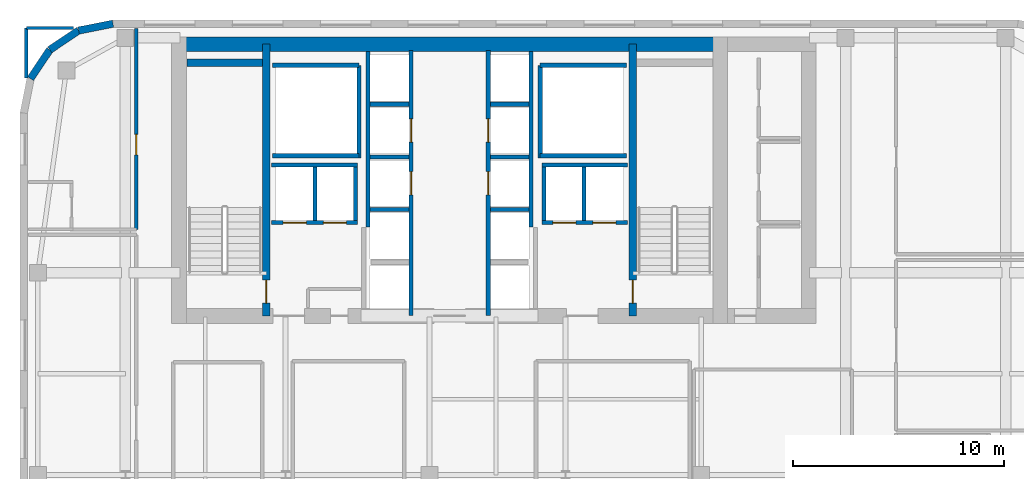
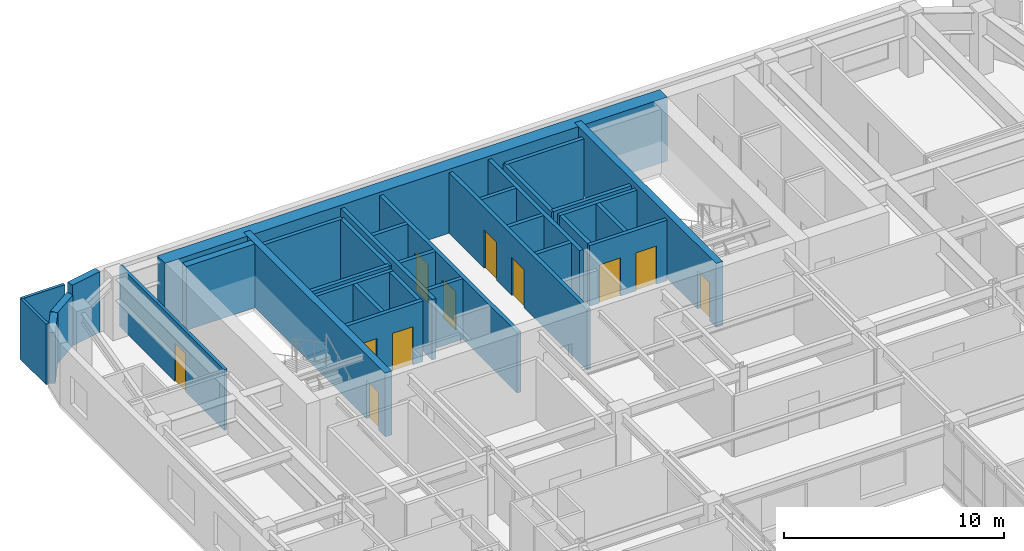
# One storey, part 11 of 14: 34 walls, 11 doors, 11 openings.
"""IFC4 building model written with IfcOpenShell, lengths in metres."""

import ifcopenshell
import ifcopenshell.guid

model = None  # the IFC model being written
_history = None  # IfcOwnerHistory: only IFC2X3 demands one
_inside = {}  # id of a spatial element -> (the spatial element, [elements in it])
_under = {}  # id of a project, library or spatial element -> (it, [spatial elements below it])
_declared = {}  # id of a project -> (the project, [libraries it declares])
_typed = {}  # id of a type object -> (the type object, [elements of that type])
_made_of = {}  # id of a material, layer set ... -> (it, [elements and type objects made of it])


def new_model(schema):
    """Start an empty IFC model of exactly this schema.

    Asked for "IFC4X3", IfcOpenShell would pick the latest addendum, in which some entities
    have other attributes; the version numbers below select the first issue.
    IFC2X3 requires an IfcOwnerHistory on every rooted entity: one is made here for all.
    """
    global model, _history
    if schema == "IFC4X3":
        model = ifcopenshell.file(schema_version=(4, 3, 0, 0))
    else:
        model = ifcopenshell.file(schema=schema)
    _inside.clear()
    _under.clear()
    _declared.clear()
    _typed.clear()
    _made_of.clear()
    _history = None
    if model.schema == "IFC2X3":
        org = make("IfcOrganization", Name="unknown")
        user = make(
            "IfcPersonAndOrganization",
            ThePerson=make("IfcPerson", FamilyName="unknown"),
            TheOrganization=org,
        )
        app = make(
            "IfcApplication",
            ApplicationDeveloper=org,
            Version="unknown",
            ApplicationFullName="unknown",
            ApplicationIdentifier="unknown",
        )
        _history = make(
            "IfcOwnerHistory",
            OwningUser=user,
            OwningApplication=app,
            ChangeAction="ADDED",
            CreationDate=0,
        )
    return model


def make(cls, **values):
    """One entity of the class cls with the attributes given. An attribute that is None is left unset."""
    return model.create_entity(
        cls, **{name: value for name, value in values.items() if value is not None}
    )


def rooted(cls, **values):
    """An entity with a GlobalId (a new one), such as an element, a storey or a relation."""
    return make(cls, GlobalId=ifcopenshell.guid.new(), OwnerHistory=_history, **values)


def si_unit(unit_type, name, prefix=None):
    """IfcSIUnit, for example si_unit("LENGTHUNIT", "METRE", prefix="MILLI")."""
    return make("IfcSIUnit", UnitType=unit_type, Prefix=prefix, Name=name)


def assignment(units):
    """IfcUnitAssignment: the units of a project."""
    return None if units is None else make("IfcUnitAssignment", Units=units)


def point(xyz):
    """IfcCartesianPoint."""
    return None if xyz is None else make("IfcCartesianPoint", Coordinates=xyz)


def direction(xyz):
    """IfcDirection."""
    return None if xyz is None else make("IfcDirection", DirectionRatios=xyz)


def frame(location, z_axis=None, x_axis=None):
    """IfcAxis2Placement3D, a coordinate frame: its origin and axes. An axis left out is left unset."""
    return make(
        "IfcAxis2Placement3D",
        Location=point(location),
        Axis=direction(z_axis),
        RefDirection=direction(x_axis),
    )


def frame_2d(location, x_axis=None):
    """IfcAxis2Placement2D, a coordinate frame in the plane: its origin and x axis."""
    return make(
        "IfcAxis2Placement2D", Location=point(location), RefDirection=direction(x_axis)
    )


def origin():
    """The frame at (0, 0, 0) with its axes left unset."""
    return frame((0.0, 0.0, 0.0))


def place(relative_to, where):
    """IfcLocalPlacement: puts the frame where relative to a parent placement (None: the world)."""
    return make(
        "IfcLocalPlacement", PlacementRelTo=relative_to, RelativePlacement=where
    )


def context(
    kind, dimensions, precision=None, world=None, true_north=None, identifier=None
):
    """IfcGeometricRepresentationContext, for example the 3D "Model" context."""
    return make(
        "IfcGeometricRepresentationContext",
        ContextIdentifier=identifier,
        ContextType=kind,
        CoordinateSpaceDimension=dimensions,
        Precision=precision,
        WorldCoordinateSystem=world,
        TrueNorth=true_north,
    )


def subcontext(parent, identifier, kind, view, scale=None):
    """IfcGeometricRepresentationSubContext, for example "Body" below "Model"."""
    return make(
        "IfcGeometricRepresentationSubContext",
        ContextIdentifier=identifier,
        ContextType=kind,
        ParentContext=parent,
        TargetScale=scale,
        TargetView=view,
    )


def project(units=None, contexts=None):
    """IfcProject with its units and contexts."""
    return rooted(
        "IfcProject",
        Name="project",
        RepresentationContexts=contexts,
        UnitsInContext=assignment(units),
    )


def spatial(cls, under=None, at=None, **own):
    """A site, building, storey or space (cls), placed at a placement, below another one or the project."""
    s = rooted(cls, ObjectPlacement=at, **own)
    if under is not None:
        _under.setdefault(under.id(), (under, []))[1].append(s)
    return s


def profile(cls, at=None, kind="AREA", **sizes):
    """A parametric profile (cls). Its sizes go by their IFC names, for example OverallWidth=200.0."""
    return make(cls, ProfileType=kind, Position=at, **sizes)


def rectangle(**sizes):
    """IfcRectangleProfileDef."""
    return profile("IfcRectangleProfileDef", **sizes)


def extrude(swept, where, along, depth):
    """IfcExtrudedAreaSolid: the profile swept, set in the frame where, extruded along a direction by depth."""
    return make(
        "IfcExtrudedAreaSolid",
        SweptArea=swept,
        Position=where,
        ExtrudedDirection=direction(along),
        Depth=depth,
    )


def shape(context_of_items, identifier, shape_type, items):
    """IfcShapeRepresentation: the items that make up one representation, for example the "Body"."""
    return make(
        "IfcShapeRepresentation",
        ContextOfItems=context_of_items,
        RepresentationIdentifier=identifier,
        RepresentationType=shape_type,
        Items=items,
    )


def source(mapping_origin, context_of_items, identifier, shape_type, items):
    """IfcRepresentationMap: a shape defined once, which mapped items show again and again."""
    return make(
        "IfcRepresentationMap",
        MappingOrigin=mapping_origin,
        MappedRepresentation=shape(context_of_items, identifier, shape_type, items),
    )


def transform(
    local_origin,
    x_axis=None,
    y_axis=None,
    z_axis=None,
    scale=None,
    scale2=None,
    scale3=None,
    uniform=True,
):
    """IfcCartesianTransformationOperator3D, or its non-uniform kind. x_axis, y_axis, z_axis: its Axis1, 2, 3."""
    if uniform:
        return make(
            "IfcCartesianTransformationOperator3D",
            Axis1=direction(x_axis),
            Axis2=direction(y_axis),
            LocalOrigin=point(local_origin),
            Scale=scale,
            Axis3=direction(z_axis),
        )
    return make(
        "IfcCartesianTransformationOperator3DnonUniform",
        Axis1=direction(x_axis),
        Axis2=direction(y_axis),
        LocalOrigin=point(local_origin),
        Scale=scale,
        Axis3=direction(z_axis),
        Scale2=scale2,
        Scale3=scale3,
    )


def mapped(mapping_source, mapping_target):
    """IfcMappedItem: shows the shape of a source again, moved by a transform."""
    return make(
        "IfcMappedItem", MappingSource=mapping_source, MappingTarget=mapping_target
    )


def material(Name=None, Category=None):
    """IfcMaterial."""
    return make("IfcMaterial", Name=Name, Category=Category)


def layer(
    of_material, thickness, ventilated=None, Name=None, Category=None, Priority=None
):
    """IfcMaterialLayer: one layer of a wall or slab, of a material (None: an air gap)."""
    return make(
        "IfcMaterialLayer",
        Material=of_material,
        LayerThickness=thickness,
        IsVentilated=ventilated,
        Name=Name,
        Category=Category,
        Priority=Priority,
    )


def layer_set(layers, Name=None):
    """IfcMaterialLayerSet."""
    return make("IfcMaterialLayerSet", MaterialLayers=layers, LayerSetName=Name)


def made_of(thing, what):
    """Note that an element or type object is made of a material, layer set ...; save() writes the relation."""
    if what is not None:
        _made_of.setdefault(what.id(), (what, []))[1].append(thing)
    return thing


def type_object(cls, material=None, **own):
    """A type object (cls), such as IfcWallType, which elements share."""
    return made_of(rooted(cls, **own), material)


def type_shapes(of_type, sources):
    """Give a type object the sources (RepresentationMaps) that its elements show as mapped items."""
    of_type.RepresentationMaps = sources


def element(
    cls,
    number,
    at=None,
    inside=None,
    cuts=None,
    type_object=None,
    material=None,
    context=None,
    identifier="Body",
    shape_type=None,
    held_by="IfcProductDefinitionShape",
    body=None,
    shapes=None,
    **own,
):
    """One element of the class cls, such as IfcWall. Its Tag is "e" and its number.

    at: its placement. inside: the storey or other place that contains it. cuts: it is an
    opening in that element (IfcRelVoidsElement). A single representation is given by context,
    identifier, shape_type and body (its items); several are given by shapes. held_by: the class
    of the entity that holds the representations. save() writes the other relations.
    """
    e = rooted(cls, Tag="e%d" % number, ObjectPlacement=at, **own)
    if body is not None:
        shapes = [shape(context, identifier, shape_type, body)]
    if shapes is not None:
        e.Representation = make(held_by, Representations=shapes)
    if inside is not None:
        _inside.setdefault(inside.id(), (inside, []))[1].append(e)
    if cuts is not None:
        rooted(
            "IfcRelVoidsElement", RelatingBuildingElement=cuts, RelatedOpeningElement=e
        )
    if type_object is not None:
        _typed.setdefault(type_object.id(), (type_object, []))[1].append(e)
    return made_of(e, material)


def fill(opening, filler):
    """IfcRelFillsElement: the door or window that sits in an opening."""
    return rooted(
        "IfcRelFillsElement",
        RelatingOpeningElement=opening,
        RelatedBuildingElement=filler,
    )


def aggregate(whole, parts):
    """IfcRelAggregates: a whole, such as a stair, and the parts it consists of."""
    return rooted("IfcRelAggregates", RelatingObject=whole, RelatedObjects=parts)


def save(model, path):
    """Write the relations noted so far, then the file.

    IfcRelAggregates (storeys below a building ...), IfcRelContainedInSpatialStructure (elements
    in a storey), IfcRelDefinesByType, IfcRelAssociatesMaterial and IfcRelDeclares: one each for
    every whole, place, type object, material and project.
    """
    for whole, parts in _under.values():
        aggregate(whole, parts)
    for where, things in _inside.values():
        rooted(
            "IfcRelContainedInSpatialStructure",
            RelatedElements=things,
            RelatingStructure=where,
        )
    for kind, things in _typed.values():
        rooted("IfcRelDefinesByType", RelatedObjects=things, RelatingType=kind)
    for what, things in _made_of.values():
        rooted("IfcRelAssociatesMaterial", RelatedObjects=things, RelatingMaterial=what)
    for by, libraries in _declared.values():
        rooted("IfcRelDeclares", RelatingContext=by, RelatedDefinitions=libraries)
    model.write(path)


model = new_model("IFC4")

# Units and contexts
model_context = context("Model", 3, precision=1e-05, world=origin(), true_north=direction((0.0, 1.0)))
body_context = subcontext(model_context, "Body", "Model", "MODEL_VIEW")
ifc_project = project(units=[si_unit("LENGTHUNIT", "METRE"), si_unit("AREAUNIT", "SQUARE_METRE"), si_unit("VOLUMEUNIT", "CUBIC_METRE"), si_unit("PLANEANGLEUNIT", "RADIAN"), si_unit("MASSUNIT", "GRAM", prefix="KILO")], contexts=[model_context])

# Site, building, storey
site_placement = place(None, origin())
site = spatial("IfcSite", under=ifc_project, at=site_placement, CompositionType="ELEMENT")
building_placement = place(site_placement, origin())
building = spatial("IfcBuilding", under=site, at=building_placement, Name="Tolvann Quenvar Hotel", CompositionType="ELEMENT")
storey_placement = place(building_placement, frame((0.0, 0.0, 187.550048828125)))
storey = spatial("IfcBuildingStorey", under=building, at=storey_placement, Name="L49", CompositionType="ELEMENT", Elevation=187.550048828125)

# Wall
ifc_material_1 = material(Name="Concrete S65 (65 MPa)", Category="concrete")
ifc_layer_1 = layer(ifc_material_1, 0.699951171875)
ifc_layer_set_1 = layer_set([ifc_layer_1], Name="Concrete S65 (65 MPa)")
wall_type_1 = type_object("IfcWallType", Name="WALL_CORE_700", PredefinedType="SHEAR", material=ifc_layer_set_1)
wall_1_placement = place(storey_placement, frame((9.800048828125, 44.85009765625, 0.0), z_axis=(0.0, 0.0, 1.0), x_axis=(1.0, 0.0, 0.0)))
element("IfcWall", 1, at=wall_1_placement, inside=storey, type_object=wall_type_1, Name="Rear Core N Shear Wall (L49)", PredefinedType="SHEAR", context=body_context, shape_type="SweptSolid", body=[
    extrude(rectangle(XDim=26.39990234375, YDim=0.699951171875, at=frame_2d((13.199951171875, 0.0))), origin(), (0.0, 0.0, 1.0), 3.550048828125),
])

# Wall, opening, door
ifc_layer_2 = layer(ifc_material_1, 0.35009765625)
ifc_layer_set_2 = layer_set([ifc_layer_2], Name="Concrete S65 (65 MPa)")
wall_type_2 = type_object("IfcWallType", Name="WALL_CORE_INT_350", PredefinedType="SHEAR", material=ifc_layer_set_2)
wall_2_placement = place(storey_placement, frame((14.300048828125, 31.949951171875, 0.0), z_axis=(0.0, 0.0, 1.0), x_axis=(0.0, 1.0, 0.0)))
wall_2 = element("IfcWall", 2, at=wall_2_placement, inside=storey, type_object=wall_type_2, Name="Core Internal Web Shear Wall WEB-W (L49)", PredefinedType="SHEAR", context=body_context, shape_type="SweptSolid", body=[
    extrude(rectangle(XDim=12.900146484375, YDim=0.35009765625, at=frame_2d((6.4501953125, 0.0))), origin(), (0.0, 0.0, 1.0), 3.550048828125),
])
opening_1_placement = place(wall_2_placement, frame((0.60009765625, 0.0, 0.0)))
opening_1 = element("IfcOpeningElement", 3, at=opening_1_placement, cuts=wall_2, Name="Opening FD-120", PredefinedType="OPENING", context=body_context, shape_type="SweptSolid", body=[
    extrude(rectangle(XDim=1.10009765625, YDim=2.1201171875, at=frame_2d((0.550048828125, 1.06005859375))), frame((0.0, 0.18505859375, 0.0), z_axis=(0.0, -1.0, 0.0), x_axis=(1.0, 0.0, 0.0)), (0.0, 0.0, 1.0), 0.3701171875),
])
ifc_material_2 = material(Name="Pressed galvanised steel fire-rated door set", Category="steel")
door_type_1 = type_object("IfcDoorType", Name="DOOR_FIRE_STAIR_1100", OperationType="NOTDEFINED", PredefinedType="DOOR", material=ifc_material_2)
shared_shape_1 = source(origin(), body_context, "Body", "SweptSolid", [
    extrude(rectangle(XDim=1.10009765625, YDim=2.1201171875, at=frame_2d((0.550048828125, 1.06005859375))), frame((0.0, 0.02490234375, 0.0), z_axis=(0.0, -1.0, 0.0), x_axis=(1.0, 0.0, 0.0)), (0.0, 0.0, 1.0), 0.050048828125),
])
type_shapes(door_type_1, [shared_shape_1])
door_1_placement = place(opening_1_placement, origin())
door_1 = element("IfcDoor", 4, at=door_1_placement, inside=storey, type_object=door_type_1, Name="Exit Stair ST-C1 Fire Door (L49)", OperationType="SINGLE_SWING_RIGHT", OverallHeight=2.1201171875, OverallWidth=1.10009765625, PredefinedType="DOOR", context=body_context, shape_type="MappedRepresentation", body=[
    mapped(shared_shape_1, transform((0.0, 0.0, 0.0), x_axis=(1.0, 0.0, 0.0), y_axis=(0.0, 1.0, 0.0), z_axis=(0.0, 0.0, 1.0), scale=1.0)),
])
fill(opening_1, door_1)

wall_3_placement = place(storey_placement, frame((31.699951171875, 31.949951171875, 0.0), z_axis=(0.0, 0.0, 1.0), x_axis=(0.0, 1.0, 0.0)))
wall_3 = element("IfcWall", 5, at=wall_3_placement, inside=storey, type_object=wall_type_2, Name="Core Internal Web Shear Wall WEB-E (L49)", PredefinedType="SHEAR", context=body_context, shape_type="SweptSolid", body=[
    extrude(rectangle(XDim=12.900146484375, YDim=0.35009765625, at=frame_2d((6.4501953125, 0.0))), origin(), (0.0, 0.0, 1.0), 3.550048828125),
])
opening_2_placement = place(wall_3_placement, frame((1.7001953125, 0.0, 0.0), z_axis=(0.0, 0.0, 1.0), x_axis=(-1.0, 0.0, 0.0)))
opening_2 = element("IfcOpeningElement", 6, at=opening_2_placement, cuts=wall_3, Name="Opening FD-120", PredefinedType="OPENING", context=body_context, shape_type="SweptSolid", body=[
    extrude(rectangle(XDim=1.10009765625, YDim=2.1201171875, at=frame_2d((0.550048828125, 1.06005859375))), frame((0.0, 0.18505859375, 0.0), z_axis=(0.0, -1.0, 0.0), x_axis=(1.0, 0.0, 0.0)), (0.0, 0.0, 1.0), 0.3701171875),
])
door_2_placement = place(opening_2_placement, origin())
door_2 = element("IfcDoor", 7, at=door_2_placement, inside=storey, type_object=door_type_1, Name="Exit Stair ST-C2 Fire Door (L49)", OperationType="SINGLE_SWING_LEFT", OverallHeight=2.1201171875, OverallWidth=1.10009765625, PredefinedType="DOOR", context=body_context, shape_type="MappedRepresentation", body=[
    mapped(shared_shape_1, transform((0.0, 0.0, 0.0), x_axis=(1.0, 0.0, 0.0), y_axis=(0.0, 1.0, 0.0), z_axis=(0.0, 0.0, 1.0), scale=1.0)),
])
fill(opening_2, door_2)

# Walls
wall_4_placement = place(storey_placement, frame((10.52001953125, 43.97509765625, 0.0), z_axis=(0.0, 0.0, 1.0), x_axis=(1.0, 0.0, 0.0)))
element("IfcWall", 8, at=wall_4_placement, inside=storey, type_object=wall_type_2, Name="Core Stair North Closing Shear Wall STC1-N (L49)", PredefinedType="SHEAR", context=body_context, shape_type="SweptSolid", body=[
    extrude(rectangle(XDim=3.60009765625, YDim=0.35009765625, at=frame_2d((1.800048828125, 0.0))), origin(), (0.0, 0.0, 1.0), 3.550048828125),
])
ifc_material_3 = material(Name="Kiln-fired red and buff architectural clay brickwork and terracotta masonry", Category="masonry")
ifc_layer_3 = layer(ifc_material_3, 0.35009765625)
ifc_layer_set_3 = layer_set([ifc_layer_3], Name="Kiln-fired red and buff architectural clay brickwork and terracotta masonry")
wall_type_3 = type_object("IfcWallType", Name="WALL_EXT_BRICK_350", PredefinedType="SOLIDWALL", material=ifc_layer_set_3)
wall_5_placement = place(storey_placement, frame((7.01708984375, 45.824951171875, 0.0), z_axis=(0.0, 0.0, 1.0), x_axis=(-0.980788844421, -0.195072403631, 0.0)))
element("IfcWall", 9, at=wall_5_placement, inside=storey, type_object=wall_type_3, Name="Exterior Chicago Brick Wall L49-E19", PredefinedType="SOLIDWALL", context=body_context, shape_type="SweptSolid", body=[
    extrude(rectangle(XDim=1.66455078125, YDim=0.35009765625, at=frame_2d((0.832275390625, 0.0))), origin(), (0.0, 0.0, 1.0), 3.369873046875),
])
for number, where, z_axis, x_axis, name in (
    (10, (5.384521484375, 45.500244140625, 0.0), (0.0, 0.0, 1.0), (-0.831502623162, -0.555520825599, 0.0), "Exterior Chicago Brick Wall L49-E20"),
    (11, (4.014892578125, 44.585205078125, 0.0), (0.0, 0.0, 1.0), (-0.555623290322, -0.831434158098, 0.0), "Exterior Chicago Brick Wall L49-E21"),
):
    element("IfcWall", number, at=place(storey_placement, frame(where, z_axis=z_axis, x_axis=x_axis)), inside=storey, type_object=wall_type_3, Name=name, PredefinedType="SOLIDWALL", context=body_context, shape_type="SweptSolid", body=[
        extrude(rectangle(XDim=1.647216796875, YDim=0.35009765625, at=frame_2d((0.82373046875, 0.0))), origin(), (0.0, 0.0, 1.0), 2.83203125),
    ])

# Wall, opening, door
ifc_material_4 = material(Name="Acoustic twin-stud fire-rated gypsum plasterboard partition")
ifc_layer_4 = layer(ifc_material_4, 0.14990234375)
ifc_layer_set_4 = layer_set([ifc_layer_4], Name="Acoustic twin-stud fire-rated gypsum plasterboard partition")
wall_type_4 = type_object("IfcWallType", Name="WALL_PART_SUITE_150", PredefinedType="PARTITIONING", material=ifc_layer_set_4)
wall_6_placement = place(storey_placement, frame((8.1201171875, 36.06005859375, 0.0), z_axis=(0.0, 0.0, 1.0), x_axis=(0.0, 1.0, 0.0)))
wall_6 = element("IfcWall", 12, at=wall_6_placement, inside=storey, type_object=wall_type_4, Name="Interior Partition PT-SPC-L49-RM-NW01-ENT", PredefinedType="PARTITIONING", context=body_context, shape_type="SweptSolid", body=[
    extrude(rectangle(XDim=9.534912109375, YDim=0.14990234375, at=frame_2d((4.767578125, 0.0))), origin(), (0.0, 0.0, 1.0), 3.369873046875),
])
opening_3_placement = place(wall_6_placement, frame((3.530029296875, 0.0, 0.0)))
opening_3 = element("IfcOpeningElement", 13, at=opening_3_placement, cuts=wall_6, Name="Opening SD-01", PredefinedType="OPENING", context=body_context, shape_type="SweptSolid", body=[
    extrude(rectangle(XDim=0.97998046875, YDim=2.1201171875, at=frame_2d((0.489990234375, 1.06005859375))), frame((0.0, 0.0849609375, 0.0), z_axis=(0.0, -1.0, 0.0), x_axis=(1.0, 0.0, 0.0)), (0.0, 0.0, 1.0), 0.169921875),
])
ifc_material_5 = material(Name="Solid-core American oak acoustic fire door leaf in steel frame", Category="steel")
door_type_2 = type_object("IfcDoorType", Name="DOOR_SUITE_980", OperationType="NOTDEFINED", PredefinedType="DOOR", material=ifc_material_5)
shared_shape_2 = source(origin(), body_context, "Body", "SweptSolid", [
    extrude(rectangle(XDim=0.97998046875, YDim=2.1201171875, at=frame_2d((0.489990234375, 1.06005859375))), frame((0.0, 0.02490234375, 0.0), z_axis=(0.0, -1.0, 0.0), x_axis=(1.0, 0.0, 0.0)), (0.0, 0.0, 1.0), 0.050048828125),
])
type_shapes(door_type_2, [shared_shape_2])
door_3_placement = place(opening_3_placement, origin())
door_3 = element("IfcDoor", 14, at=door_3_placement, inside=storey, type_object=door_type_2, Name="Interior Door DOOR-SPC-L49-RM-NW01", OperationType="SINGLE_SWING_RIGHT", OverallHeight=2.1201171875, OverallWidth=0.97998046875, PredefinedType="DOOR", context=body_context, shape_type="MappedRepresentation", body=[
    mapped(shared_shape_2, transform((0.0, 0.0, 0.0), x_axis=(1.0, 0.0, 0.0), y_axis=(0.0, 1.0, 0.0), z_axis=(0.0, 0.0, 1.0), scale=1.0)),
])
fill(opening_3, door_3)

# Walls
wall_7_placement = place(storey_placement, frame((2.89990234375, 45.6201171875, 0.0), z_axis=(0.0, 0.0, 1.0), x_axis=(1.0, 0.0, 0.0)))
element("IfcWall", 15, at=wall_7_placement, inside=storey, type_object=wall_type_4, Name="Interior Partition PT-SPC-L49-RM-NW01-E5", PredefinedType="PARTITIONING", context=body_context, shape_type="SweptSolid", body=[
    extrude(rectangle(XDim=2.25, YDim=0.14990234375, at=frame_2d((1.125, 0.0))), origin(), (0.0, 0.0, 1.0), 3.369873046875),
])
wall_8_placement = place(storey_placement, frame((2.89990234375, 43.2548828125, 0.0), z_axis=(0.0, 0.0, 1.0), x_axis=(0.0, 1.0, 0.0)))
element("IfcWall", 16, at=wall_8_placement, inside=storey, type_object=wall_type_4, Name="Interior Partition PT-SPC-L49-RM-NW01-E6", PredefinedType="PARTITIONING", context=body_context, shape_type="SweptSolid", body=[
    extrude(rectangle(XDim=2.365234375, YDim=0.14990234375, at=frame_2d((1.1826171875, 0.0))), origin(), (0.0, 0.0, 1.0), 3.369873046875),
])
ifc_material_6 = material(Name="Concrete N40 (40 MPa)", Category="concrete")
ifc_layer_5 = layer(ifc_material_6, 0.199951171875)
ifc_layer_set_5 = layer_set([ifc_layer_5], Name="Concrete N40 (40 MPa)")
wall_type_5 = type_object("IfcWallType", Name="WALL_SHAFT_200", PredefinedType="SOLIDWALL", material=ifc_layer_set_5)
wall_9_placement = place(storey_placement, frame((18.699951171875, 39.449951171875, 0.0), z_axis=(0.0, 0.0, 1.0), x_axis=(0.0, 1.0, 0.0)))
element("IfcWall", 17, at=wall_9_placement, inside=storey, type_object=wall_type_5, Name="Service Riser W Shaft Wall IN (L49)", PredefinedType="SOLIDWALL", context=body_context, shape_type="SweptSolid", body=[
    extrude(rectangle(XDim=4.400146484375, YDim=0.199951171875, at=frame_2d((2.2001953125, 0.0))), origin(), (0.0, 0.0, 1.0), 3.369873046875),
])
for number, where, z_axis, x_axis, name in (
    (18, (14.60009765625, 39.550048828125, 0.0), (0.0, 0.0, 1.0), (1.0, 0.0, 0.0), "Service Riser W Shaft Wall S (L49)"),
    (19, (14.60009765625, 43.85009765625, 0.0), (0.0, 0.0, 1.0), (1.0, 0.0, 0.0), "Service Riser W Shaft Wall N (L49)"),
):
    element("IfcWall", number, at=place(storey_placement, frame(where, z_axis=z_axis, x_axis=x_axis)), inside=storey, type_object=wall_type_5, Name=name, PredefinedType="SOLIDWALL", context=body_context, shape_type="SweptSolid", body=[
        extrude(rectangle(XDim=4.099853515625, YDim=0.199951171875, at=frame_2d((2.0498046875, 0.0))), origin(), (0.0, 0.0, 1.0), 3.369873046875),
    ])
wall_10_placement = place(storey_placement, frame((27.300048828125, 39.449951171875, 0.0), z_axis=(0.0, 0.0, 1.0), x_axis=(0.0, 1.0, 0.0)))
element("IfcWall", 20, at=wall_10_placement, inside=storey, type_object=wall_type_5, Name="Service Riser E Shaft Wall IN (L49)", PredefinedType="SOLIDWALL", context=body_context, shape_type="SweptSolid", body=[
    extrude(rectangle(XDim=4.400146484375, YDim=0.199951171875, at=frame_2d((2.2001953125, 0.0))), origin(), (0.0, 0.0, 1.0), 3.369873046875),
])
for number, where, z_axis, x_axis, name in (
    (21, (27.300048828125, 39.550048828125, 0.0), (0.0, 0.0, 1.0), (1.0, 0.0, 0.0), "Service Riser E Shaft Wall S (L49)"),
    (22, (27.300048828125, 43.85009765625, 0.0), (0.0, 0.0, 1.0), (1.0, 0.0, 0.0), "Service Riser E Shaft Wall N (L49)"),
):
    element("IfcWall", number, at=place(storey_placement, frame(where, z_axis=z_axis, x_axis=x_axis)), inside=storey, type_object=wall_type_5, Name=name, PredefinedType="SOLIDWALL", context=body_context, shape_type="SweptSolid", body=[
        extrude(rectangle(XDim=4.099853515625, YDim=0.199951171875, at=frame_2d((2.0498046875, 0.0))), origin(), (0.0, 0.0, 1.0), 3.369873046875),
    ])

# Wall, openings, doors
wall_11_placement = place(storey_placement, frame((21.169921875, 31.9599609375, 0.0), z_axis=(0.0, 0.0, 1.0), x_axis=(0.0, 1.0, 0.0)))
wall_11 = element("IfcWall", 23, at=wall_11_placement, inside=storey, type_object=wall_type_5, Name="Lift Bank E21.1C1 Hoistway Front Wall (L49)", PredefinedType="SOLIDWALL", context=body_context, shape_type="SweptSolid", body=[
    extrude(rectangle(XDim=12.580078125, YDim=0.199951171875, at=frame_2d((6.2900390625, 0.0))), origin(), (0.0, 0.0, 1.0), 3.369873046875),
])
opening_4_placement = place(wall_11_placement, frame((5.739990234375, 0.0, 0.0)))
opening_4 = element("IfcOpeningElement", 24, at=opening_4_placement, cuts=wall_11, Name="Opening LD-01", PredefinedType="OPENING", context=body_context, shape_type="SweptSolid", body=[
    extrude(rectangle(XDim=1.10009765625, YDim=2.1201171875, at=frame_2d((0.550048828125, 1.06005859375))), frame((0.0, 0.10986328125, 0.0), z_axis=(0.0, -1.0, 0.0), x_axis=(1.0, 0.0, 0.0)), (0.0, 0.0, 1.0), 0.219970703125),
])
opening_5_placement = place(wall_11_placement, frame((8.239990234375, 0.0, 0.0)))
opening_5 = element("IfcOpeningElement", 25, at=opening_5_placement, cuts=wall_11, Name="Opening LD-01", PredefinedType="OPENING", context=body_context, shape_type="SweptSolid", body=[
    extrude(rectangle(XDim=1.10009765625, YDim=2.1201171875, at=frame_2d((0.550048828125, 1.06005859375))), frame((0.0, 0.10986328125, 0.0), z_axis=(0.0, -1.0, 0.0), x_axis=(1.0, 0.0, 0.0)), (0.0, 0.0, 1.0), 0.219970703125),
])
ifc_material_7 = material(Name="Brushed 316 stainless steel automatic sliding lift landing door", Category="steel")
door_type_3 = type_object("IfcDoorType", Name="DOOR_LIFT_SLIDE_1100", OperationType="NOTDEFINED", PredefinedType="DOOR", material=ifc_material_7)
shared_shape_3 = source(origin(), body_context, "Body", "SweptSolid", [
    extrude(rectangle(XDim=1.10009765625, YDim=2.1201171875, at=frame_2d((0.550048828125, 1.06005859375))), frame((0.0, 0.02490234375, 0.0), z_axis=(0.0, -1.0, 0.0), x_axis=(1.0, 0.0, 0.0)), (0.0, 0.0, 1.0), 0.050048828125),
])
type_shapes(door_type_3, [shared_shape_3])
door_4_placement = place(opening_4_placement, origin())
door_4 = element("IfcDoor", 26, at=door_4_placement, inside=storey, type_object=door_type_3, Name="Lift PM-1 Sliding Landing Door (L49)", OperationType="SLIDING_TO_RIGHT", OverallHeight=2.1201171875, OverallWidth=1.10009765625, PredefinedType="DOOR", context=body_context, shape_type="MappedRepresentation", body=[
    mapped(shared_shape_3, transform((0.0, 0.0, 0.0), x_axis=(1.0, 0.0, 0.0), y_axis=(0.0, 1.0, 0.0), z_axis=(0.0, 0.0, 1.0), scale=1.0)),
])
fill(opening_4, door_4)
door_5_placement = place(opening_5_placement, origin())
door_5 = element("IfcDoor", 27, at=door_5_placement, inside=storey, type_object=door_type_3, Name="Lift PM-2 Sliding Landing Door (L49)", OperationType="SLIDING_TO_LEFT", OverallHeight=2.1201171875, OverallWidth=1.10009765625, PredefinedType="DOOR", context=body_context, shape_type="MappedRepresentation", body=[
    mapped(shared_shape_3, transform((0.0, 0.0, 0.0), x_axis=(1.0, 0.0, 0.0), y_axis=(0.0, 1.0, 0.0), z_axis=(0.0, 0.0, 1.0), scale=1.0)),
])
fill(opening_5, door_5)

# Walls
wall_12_placement = place(storey_placement, frame((19.1298828125, 36.159912109375, 0.0), z_axis=(0.0, 0.0, 1.0), x_axis=(0.0, 1.0, 0.0)))
element("IfcWall", 28, at=wall_12_placement, inside=storey, type_object=wall_type_5, Name="Lift Bank E21.1C1 Hoistway Rear Wall (L49)", PredefinedType="SOLIDWALL", context=body_context, shape_type="SweptSolid", body=[
    extrude(rectangle(XDim=8.336181640625, YDim=0.199951171875, at=frame_2d((4.16796875, 0.0))), origin(), (0.0, 0.0, 1.0), 3.369873046875),
])
for number, where, z_axis, x_axis, name in (
    (29, (19.22998046875, 37.0, 0.0), (0.0, 0.0, 1.0), (1.0, 0.0, 0.0), "Lift Bank E21.1C1 Divider Wall 2 (L49)"),
    (30, (19.22998046875, 39.5, 0.0), (0.0, 0.0, 1.0), (1.0, 0.0, 0.0), "Lift Bank E21.1C1 Divider Wall 3 (L49)"),
    (31, (19.22998046875, 42.0, 0.0), (0.0, 0.0, 1.0), (1.0, 0.0, 0.0), "Lift Bank E21.1C1 Divider Wall 4 (L49)"),
):
    element("IfcWall", number, at=place(storey_placement, frame(where, z_axis=z_axis, x_axis=x_axis)), inside=storey, type_object=wall_type_5, Name=name, PredefinedType="SOLIDWALL", context=body_context, shape_type="SweptSolid", body=[
        extrude(rectangle(XDim=1.840087890625, YDim=0.199951171875, at=frame_2d((0.919921875, 0.0))), origin(), (0.0, 0.0, 1.0), 3.369873046875),
    ])

# Wall, openings, doors
wall_13_placement = place(storey_placement, frame((27.375, 36.3798828125, 0.0), z_axis=(0.0, 0.0, 1.0), x_axis=(1.0, 0.0, 0.0)))
wall_13 = element("IfcWall", 32, at=wall_13_placement, inside=storey, type_object=wall_type_5, Name="Lift Bank SEC1 Hoistway Front Wall (L49)", PredefinedType="SOLIDWALL", context=body_context, shape_type="SweptSolid", body=[
    extrude(rectangle(XDim=4.074951171875, YDim=0.199951171875, at=frame_2d((2.03759765625, 0.0))), origin(), (0.0, 0.0, 1.0), 3.369873046875),
])
opening_6_placement = place(wall_13_placement, frame((0.52490234375, 0.0, 0.0)))
opening_6 = element("IfcOpeningElement", 33, at=opening_6_placement, cuts=wall_13, Name="Opening LD-01", PredefinedType="OPENING", context=body_context, shape_type="SweptSolid", body=[
    extrude(rectangle(XDim=1.10009765625, YDim=2.1201171875, at=frame_2d((0.550048828125, 1.06005859375))), frame((0.0, 0.10986328125, 0.0), z_axis=(0.0, -1.0, 0.0), x_axis=(1.0, 0.0, 0.0)), (0.0, 0.0, 1.0), 0.219970703125),
])
opening_7_placement = place(wall_13_placement, frame((2.425048828125, 0.0, 0.0)))
opening_7 = element("IfcOpeningElement", 34, at=opening_7_placement, cuts=wall_13, Name="Opening LD-01", PredefinedType="OPENING", context=body_context, shape_type="SweptSolid", body=[
    extrude(rectangle(XDim=1.10009765625, YDim=2.1201171875, at=frame_2d((0.550048828125, 1.06005859375))), frame((0.0, 0.10986328125, 0.0), z_axis=(0.0, -1.0, 0.0), x_axis=(1.0, 0.0, 0.0)), (0.0, 0.0, 1.0), 0.219970703125),
])
door_6_placement = place(opening_6_placement, origin())
door_6 = element("IfcDoor", 35, at=door_6_placement, inside=storey, type_object=door_type_3, Name="Lift SV-2 Sliding Landing Door (L49)", OperationType="SLIDING_TO_LEFT", OverallHeight=2.1201171875, OverallWidth=1.10009765625, PredefinedType="DOOR", context=body_context, shape_type="MappedRepresentation", body=[
    mapped(shared_shape_3, transform((0.0, 0.0, 0.0), x_axis=(1.0, 0.0, 0.0), y_axis=(0.0, 1.0, 0.0), z_axis=(0.0, 0.0, 1.0), scale=1.0)),
])
fill(opening_6, door_6)
door_7_placement = place(opening_7_placement, origin())
door_7 = element("IfcDoor", 36, at=door_7_placement, inside=storey, type_object=door_type_3, Name="Lift FF-2 Sliding Landing Door (L49)", OperationType="SLIDING_TO_RIGHT", OverallHeight=2.1201171875, OverallWidth=1.10009765625, PredefinedType="DOOR", context=body_context, shape_type="MappedRepresentation", body=[
    mapped(shared_shape_3, transform((0.0, 0.0, 0.0), x_axis=(1.0, 0.0, 0.0), y_axis=(0.0, 1.0, 0.0), z_axis=(0.0, 0.0, 1.0), scale=1.0)),
])
fill(opening_7, door_7)

# Walls
wall_14_placement = place(storey_placement, frame((27.375, 39.1201171875, 0.0), z_axis=(0.0, 0.0, 1.0), x_axis=(1.0, 0.0, 0.0)))
element("IfcWall", 37, at=wall_14_placement, inside=storey, type_object=wall_type_5, Name="Lift Bank SEC1 Hoistway Rear Wall (L49)", PredefinedType="SOLIDWALL", context=body_context, shape_type="SweptSolid", body=[
    extrude(rectangle(XDim=4.074951171875, YDim=0.199951171875, at=frame_2d((2.03759765625, 0.0))), origin(), (0.0, 0.0, 1.0), 3.369873046875),
])
for number, where, z_axis, x_axis, name in (
    (38, (27.47509765625, 36.47998046875, 0.0), (0.0, 0.0, 1.0), (0.0, 1.0, 0.0), "Lift Bank SEC1 Hoistway Cheek Wall 1 (L49)"),
    (39, (29.387451171875, 36.47998046875, 0.0), (0.0, 0.0, 1.0), (0.0, 1.0, 0.0), "Lift Bank SEC1 Divider Wall 1 (L49)"),
):
    element("IfcWall", number, at=place(storey_placement, frame(where, z_axis=z_axis, x_axis=x_axis)), inside=storey, type_object=wall_type_5, Name=name, PredefinedType="SOLIDWALL", context=body_context, shape_type="SweptSolid", body=[
        extrude(rectangle(XDim=2.5400390625, YDim=0.199951171875, at=frame_2d((1.27001953125, 0.0))), origin(), (0.0, 0.0, 1.0), 3.369873046875),
    ])

# Wall, openings, doors
wall_15_placement = place(storey_placement, frame((14.550048828125, 36.3798828125, 0.0), z_axis=(0.0, 0.0, 1.0), x_axis=(1.0, 0.0, 0.0)))
wall_15 = element("IfcWall", 40, at=wall_15_placement, inside=storey, type_object=wall_type_5, Name="Lift Bank SWC1 Hoistway Front Wall (L49)", PredefinedType="SOLIDWALL", context=body_context, shape_type="SweptSolid", body=[
    extrude(rectangle(XDim=4.074951171875, YDim=0.199951171875, at=frame_2d((2.03759765625, 0.0))), origin(), (0.0, 0.0, 1.0), 3.369873046875),
])
opening_8_placement = place(wall_15_placement, frame((0.550048828125, 0.0, 0.0)))
opening_8 = element("IfcOpeningElement", 41, at=opening_8_placement, cuts=wall_15, Name="Opening LD-01", PredefinedType="OPENING", context=body_context, shape_type="SweptSolid", body=[
    extrude(rectangle(XDim=1.10009765625, YDim=2.1201171875, at=frame_2d((0.550048828125, 1.06005859375))), frame((0.0, 0.10986328125, 0.0), z_axis=(0.0, -1.0, 0.0), x_axis=(1.0, 0.0, 0.0)), (0.0, 0.0, 1.0), 0.219970703125),
])
opening_9_placement = place(wall_15_placement, frame((2.449951171875, 0.0, 0.0)))
opening_9 = element("IfcOpeningElement", 42, at=opening_9_placement, cuts=wall_15, Name="Opening LD-01", PredefinedType="OPENING", context=body_context, shape_type="SweptSolid", body=[
    extrude(rectangle(XDim=1.10009765625, YDim=2.1201171875, at=frame_2d((0.550048828125, 1.06005859375))), frame((0.0, 0.10986328125, 0.0), z_axis=(0.0, -1.0, 0.0), x_axis=(1.0, 0.0, 0.0)), (0.0, 0.0, 1.0), 0.219970703125),
])
door_8_placement = place(opening_8_placement, origin())
door_8 = element("IfcDoor", 43, at=door_8_placement, inside=storey, type_object=door_type_3, Name="Lift FF-1 Sliding Landing Door (L49)", OperationType="SLIDING_TO_LEFT", OverallHeight=2.1201171875, OverallWidth=1.10009765625, PredefinedType="DOOR", context=body_context, shape_type="MappedRepresentation", body=[
    mapped(shared_shape_3, transform((0.0, 0.0, 0.0), x_axis=(1.0, 0.0, 0.0), y_axis=(0.0, 1.0, 0.0), z_axis=(0.0, 0.0, 1.0), scale=1.0)),
])
fill(opening_8, door_8)
door_9_placement = place(opening_9_placement, origin())
door_9 = element("IfcDoor", 44, at=door_9_placement, inside=storey, type_object=door_type_3, Name="Lift SV-1 Sliding Landing Door (L49)", OperationType="SLIDING_TO_RIGHT", OverallHeight=2.1201171875, OverallWidth=1.10009765625, PredefinedType="DOOR", context=body_context, shape_type="MappedRepresentation", body=[
    mapped(shared_shape_3, transform((0.0, 0.0, 0.0), x_axis=(1.0, 0.0, 0.0), y_axis=(0.0, 1.0, 0.0), z_axis=(0.0, 0.0, 1.0), scale=1.0)),
])
fill(opening_9, door_9)

# Walls
wall_16_placement = place(storey_placement, frame((14.550048828125, 39.1201171875, 0.0), z_axis=(0.0, 0.0, 1.0), x_axis=(1.0, 0.0, 0.0)))
element("IfcWall", 45, at=wall_16_placement, inside=storey, type_object=wall_type_5, Name="Lift Bank SWC1 Hoistway Rear Wall (L49)", PredefinedType="SOLIDWALL", context=body_context, shape_type="SweptSolid", body=[
    extrude(rectangle(XDim=4.074951171875, YDim=0.199951171875, at=frame_2d((2.03759765625, 0.0))), origin(), (0.0, 0.0, 1.0), 3.369873046875),
])
for number, where, z_axis, x_axis, name in (
    (46, (18.52490234375, 36.47998046875, 0.0), (0.0, 0.0, 1.0), (0.0, 1.0, 0.0), "Lift Bank SWC1 Hoistway Cheek Wall 2 (L49)"),
    (47, (16.612548828125, 36.47998046875, 0.0), (0.0, 0.0, 1.0), (0.0, 1.0, 0.0), "Lift Bank SWC1 Divider Wall 1 (L49)"),
):
    element("IfcWall", number, at=place(storey_placement, frame(where, z_axis=z_axis, x_axis=x_axis)), inside=storey, type_object=wall_type_5, Name=name, PredefinedType="SOLIDWALL", context=body_context, shape_type="SweptSolid", body=[
        extrude(rectangle(XDim=2.5400390625, YDim=0.199951171875, at=frame_2d((1.27001953125, 0.0))), origin(), (0.0, 0.0, 1.0), 3.369873046875),
    ])

# Wall, openings, doors
wall_17_placement = place(storey_placement, frame((24.830078125, 31.9599609375, 0.0), z_axis=(0.0, 0.0, 1.0), x_axis=(0.0, 1.0, 0.0)))
wall_17 = element("IfcWall", 48, at=wall_17_placement, inside=storey, type_object=wall_type_5, Name="Lift Bank W24.9C1 Hoistway Front Wall (L49)", PredefinedType="SOLIDWALL", context=body_context, shape_type="SweptSolid", body=[
    extrude(rectangle(XDim=12.580078125, YDim=0.199951171875, at=frame_2d((6.2900390625, 0.0))), origin(), (0.0, 0.0, 1.0), 3.369873046875),
])
opening_10_placement = place(wall_17_placement, frame((5.739990234375, 0.0, 0.0)))
opening_10 = element("IfcOpeningElement", 49, at=opening_10_placement, cuts=wall_17, Name="Opening LD-01", PredefinedType="OPENING", context=body_context, shape_type="SweptSolid", body=[
    extrude(rectangle(XDim=1.10009765625, YDim=2.1201171875, at=frame_2d((0.550048828125, 1.06005859375))), frame((0.0, 0.10986328125, 0.0), z_axis=(0.0, -1.0, 0.0), x_axis=(1.0, 0.0, 0.0)), (0.0, 0.0, 1.0), 0.219970703125),
])
opening_11_placement = place(wall_17_placement, frame((8.239990234375, 0.0, 0.0)))
opening_11 = element("IfcOpeningElement", 50, at=opening_11_placement, cuts=wall_17, Name="Opening LD-01", PredefinedType="OPENING", context=body_context, shape_type="SweptSolid", body=[
    extrude(rectangle(XDim=1.10009765625, YDim=2.1201171875, at=frame_2d((0.550048828125, 1.06005859375))), frame((0.0, 0.10986328125, 0.0), z_axis=(0.0, -1.0, 0.0), x_axis=(1.0, 0.0, 0.0)), (0.0, 0.0, 1.0), 0.219970703125),
])
door_10_placement = place(opening_10_placement, origin())
door_10 = element("IfcDoor", 51, at=door_10_placement, inside=storey, type_object=door_type_3, Name="Lift PM-3 Sliding Landing Door (L49)", OperationType="SLIDING_TO_RIGHT", OverallHeight=2.1201171875, OverallWidth=1.10009765625, PredefinedType="DOOR", context=body_context, shape_type="MappedRepresentation", body=[
    mapped(shared_shape_3, transform((0.0, 0.0, 0.0), x_axis=(1.0, 0.0, 0.0), y_axis=(0.0, 1.0, 0.0), z_axis=(0.0, 0.0, 1.0), scale=1.0)),
])
fill(opening_10, door_10)
door_11_placement = place(opening_11_placement, origin())
door_11 = element("IfcDoor", 52, at=door_11_placement, inside=storey, type_object=door_type_3, Name="Lift PM-4 Sliding Landing Door (L49)", OperationType="SLIDING_TO_LEFT", OverallHeight=2.1201171875, OverallWidth=1.10009765625, PredefinedType="DOOR", context=body_context, shape_type="MappedRepresentation", body=[
    mapped(shared_shape_3, transform((0.0, 0.0, 0.0), x_axis=(1.0, 0.0, 0.0), y_axis=(0.0, 1.0, 0.0), z_axis=(0.0, 0.0, 1.0), scale=1.0)),
])
fill(opening_11, door_11)

# Walls
wall_18_placement = place(storey_placement, frame((26.8701171875, 36.159912109375, 0.0), z_axis=(0.0, 0.0, 1.0), x_axis=(0.0, 1.0, 0.0)))
element("IfcWall", 53, at=wall_18_placement, inside=storey, type_object=wall_type_5, Name="Lift Bank W24.9C1 Hoistway Rear Wall (L49)", PredefinedType="SOLIDWALL", context=body_context, shape_type="SweptSolid", body=[
    extrude(rectangle(XDim=8.336181640625, YDim=0.199951171875, at=frame_2d((4.16796875, 0.0))), origin(), (0.0, 0.0, 1.0), 3.369873046875),
])
for number, where, z_axis, x_axis, name in (
    (54, (24.929931640625, 37.0, 0.0), (0.0, 0.0, 1.0), (1.0, 0.0, 0.0), "Lift Bank W24.9C1 Divider Wall 2 (L49)"),
    (55, (24.929931640625, 39.5, 0.0), (0.0, 0.0, 1.0), (1.0, 0.0, 0.0), "Lift Bank W24.9C1 Divider Wall 3 (L49)"),
    (56, (24.929931640625, 42.0, 0.0), (0.0, 0.0, 1.0), (1.0, 0.0, 0.0), "Lift Bank W24.9C1 Divider Wall 4 (L49)"),
):
    element("IfcWall", number, at=place(storey_placement, frame(where, z_axis=z_axis, x_axis=x_axis)), inside=storey, type_object=wall_type_5, Name=name, PredefinedType="SOLIDWALL", context=body_context, shape_type="SweptSolid", body=[
        extrude(rectangle(XDim=1.840087890625, YDim=0.199951171875, at=frame_2d((0.919921875, 0.0))), origin(), (0.0, 0.0, 1.0), 3.369873046875),
    ])

save(model, "model.ifc")
